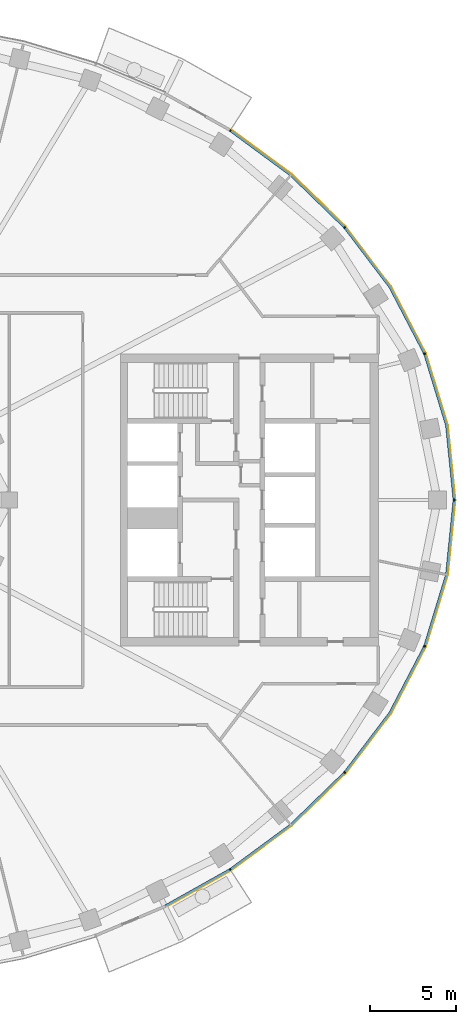
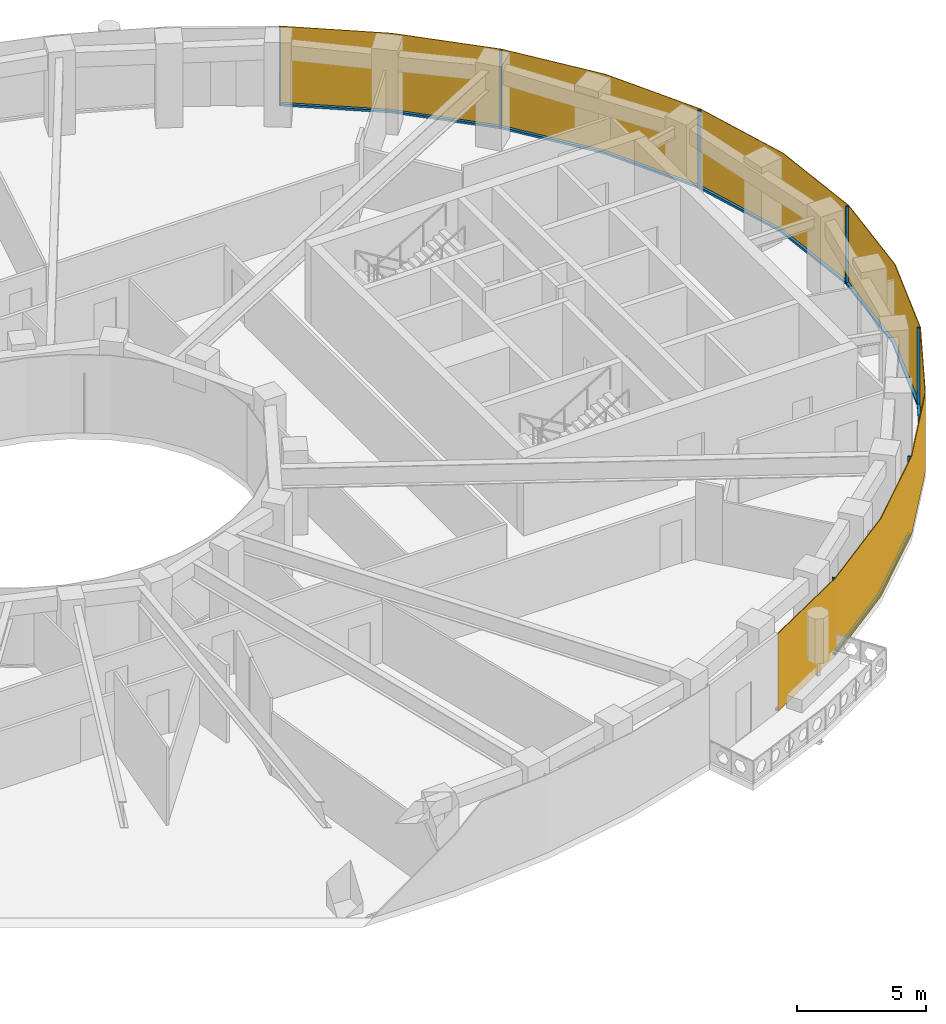
# One storey, part 11 of 15: 14 members, 1 curtain wall.
"""IFC4 building model written with IfcOpenShell, lengths in metres."""

import ifcopenshell
import ifcopenshell.guid

model = None  # the IFC model being written
_history = None  # IfcOwnerHistory: only IFC2X3 demands one
_inside = {}  # id of a spatial element -> (the spatial element, [elements in it])
_under = {}  # id of a project, library or spatial element -> (it, [spatial elements below it])
_declared = {}  # id of a project -> (the project, [libraries it declares])
_typed = {}  # id of a type object -> (the type object, [elements of that type])
_made_of = {}  # id of a material, layer set ... -> (it, [elements and type objects made of it])


def new_model(schema):
    """Start an empty IFC model of exactly this schema.

    Asked for "IFC4X3", IfcOpenShell would pick the latest addendum, in which some entities
    have other attributes; the version numbers below select the first issue.
    IFC2X3 requires an IfcOwnerHistory on every rooted entity: one is made here for all.
    """
    global model, _history
    if schema == "IFC4X3":
        model = ifcopenshell.file(schema_version=(4, 3, 0, 0))
    else:
        model = ifcopenshell.file(schema=schema)
    _inside.clear()
    _under.clear()
    _declared.clear()
    _typed.clear()
    _made_of.clear()
    _history = None
    if model.schema == "IFC2X3":
        org = make("IfcOrganization", Name="unknown")
        user = make(
            "IfcPersonAndOrganization",
            ThePerson=make("IfcPerson", FamilyName="unknown"),
            TheOrganization=org,
        )
        app = make(
            "IfcApplication",
            ApplicationDeveloper=org,
            Version="unknown",
            ApplicationFullName="unknown",
            ApplicationIdentifier="unknown",
        )
        _history = make(
            "IfcOwnerHistory",
            OwningUser=user,
            OwningApplication=app,
            ChangeAction="ADDED",
            CreationDate=0,
        )
    return model


def make(cls, **values):
    """One entity of the class cls with the attributes given. An attribute that is None is left unset."""
    return model.create_entity(
        cls, **{name: value for name, value in values.items() if value is not None}
    )


def rooted(cls, **values):
    """An entity with a GlobalId (a new one), such as an element, a storey or a relation."""
    return make(cls, GlobalId=ifcopenshell.guid.new(), OwnerHistory=_history, **values)


def si_unit(unit_type, name, prefix=None):
    """IfcSIUnit, for example si_unit("LENGTHUNIT", "METRE", prefix="MILLI")."""
    return make("IfcSIUnit", UnitType=unit_type, Prefix=prefix, Name=name)


def assignment(units):
    """IfcUnitAssignment: the units of a project."""
    return None if units is None else make("IfcUnitAssignment", Units=units)


def point(xyz):
    """IfcCartesianPoint."""
    return None if xyz is None else make("IfcCartesianPoint", Coordinates=xyz)


def direction(xyz):
    """IfcDirection."""
    return None if xyz is None else make("IfcDirection", DirectionRatios=xyz)


def frame(location, z_axis=None, x_axis=None):
    """IfcAxis2Placement3D, a coordinate frame: its origin and axes. An axis left out is left unset."""
    return make(
        "IfcAxis2Placement3D",
        Location=point(location),
        Axis=direction(z_axis),
        RefDirection=direction(x_axis),
    )


def frame_2d(location, x_axis=None):
    """IfcAxis2Placement2D, a coordinate frame in the plane: its origin and x axis."""
    return make(
        "IfcAxis2Placement2D", Location=point(location), RefDirection=direction(x_axis)
    )


def origin():
    """The frame at (0, 0, 0) with its axes left unset."""
    return frame((0.0, 0.0, 0.0))


def origin_2d():
    """The frame at (0, 0) in the plane with its x axis left unset."""
    return frame_2d((0.0, 0.0))


def place(relative_to, where):
    """IfcLocalPlacement: puts the frame where relative to a parent placement (None: the world)."""
    return make(
        "IfcLocalPlacement", PlacementRelTo=relative_to, RelativePlacement=where
    )


def context(
    kind, dimensions, precision=None, world=None, true_north=None, identifier=None
):
    """IfcGeometricRepresentationContext, for example the 3D "Model" context."""
    return make(
        "IfcGeometricRepresentationContext",
        ContextIdentifier=identifier,
        ContextType=kind,
        CoordinateSpaceDimension=dimensions,
        Precision=precision,
        WorldCoordinateSystem=world,
        TrueNorth=true_north,
    )


def subcontext(parent, identifier, kind, view, scale=None):
    """IfcGeometricRepresentationSubContext, for example "Body" below "Model"."""
    return make(
        "IfcGeometricRepresentationSubContext",
        ContextIdentifier=identifier,
        ContextType=kind,
        ParentContext=parent,
        TargetScale=scale,
        TargetView=view,
    )


def project(units=None, contexts=None):
    """IfcProject with its units and contexts."""
    return rooted(
        "IfcProject",
        Name="project",
        RepresentationContexts=contexts,
        UnitsInContext=assignment(units),
    )


def spatial(cls, under=None, at=None, **own):
    """A site, building, storey or space (cls), placed at a placement, below another one or the project."""
    s = rooted(cls, ObjectPlacement=at, **own)
    if under is not None:
        _under.setdefault(under.id(), (under, []))[1].append(s)
    return s


def polyline(points):
    """IfcPolyline through the points."""
    return make("IfcPolyline", Points=[point(p) for p in points])


def profile(cls, at=None, kind="AREA", **sizes):
    """A parametric profile (cls). Its sizes go by their IFC names, for example OverallWidth=200.0."""
    return make(cls, ProfileType=kind, Position=at, **sizes)


def rectangle(**sizes):
    """IfcRectangleProfileDef."""
    return profile("IfcRectangleProfileDef", **sizes)


def outline(outer, holes=None, kind="AREA"):
    """IfcArbitraryClosedProfileDef: a profile drawn as a closed curve; with holes, ...WithVoids."""
    if holes is None:
        return make("IfcArbitraryClosedProfileDef", ProfileType=kind, OuterCurve=outer)
    return make(
        "IfcArbitraryProfileDefWithVoids",
        ProfileType=kind,
        OuterCurve=outer,
        InnerCurves=holes,
    )


def extrude(swept, where, along, depth):
    """IfcExtrudedAreaSolid: the profile swept, set in the frame where, extruded along a direction by depth."""
    return make(
        "IfcExtrudedAreaSolid",
        SweptArea=swept,
        Position=where,
        ExtrudedDirection=direction(along),
        Depth=depth,
    )


def shape(context_of_items, identifier, shape_type, items):
    """IfcShapeRepresentation: the items that make up one representation, for example the "Body"."""
    return make(
        "IfcShapeRepresentation",
        ContextOfItems=context_of_items,
        RepresentationIdentifier=identifier,
        RepresentationType=shape_type,
        Items=items,
    )


def material(Name=None, Category=None):
    """IfcMaterial."""
    return make("IfcMaterial", Name=Name, Category=Category)


def layer(
    of_material, thickness, ventilated=None, Name=None, Category=None, Priority=None
):
    """IfcMaterialLayer: one layer of a wall or slab, of a material (None: an air gap)."""
    return make(
        "IfcMaterialLayer",
        Material=of_material,
        LayerThickness=thickness,
        IsVentilated=ventilated,
        Name=Name,
        Category=Category,
        Priority=Priority,
    )


def layer_set(layers, Name=None):
    """IfcMaterialLayerSet."""
    return make("IfcMaterialLayerSet", MaterialLayers=layers, LayerSetName=Name)


def material_profile(
    of_material, cross_section, Name=None, Category=None, Priority=None
):
    """IfcMaterialProfile: a cross section and its material."""
    return make(
        "IfcMaterialProfile",
        Name=Name,
        Material=of_material,
        Profile=cross_section,
        Priority=Priority,
        Category=Category,
    )


def profile_set(profiles, Name=None, composite=None):
    """IfcMaterialProfileSet."""
    return make(
        "IfcMaterialProfileSet",
        Name=Name,
        MaterialProfiles=profiles,
        CompositeProfile=composite,
    )


def made_of(thing, what):
    """Note that an element or type object is made of a material, layer set ...; save() writes the relation."""
    if what is not None:
        _made_of.setdefault(what.id(), (what, []))[1].append(thing)
    return thing


def type_object(cls, material=None, **own):
    """A type object (cls), such as IfcWallType, which elements share."""
    return made_of(rooted(cls, **own), material)


def element(
    cls,
    number,
    at=None,
    inside=None,
    cuts=None,
    type_object=None,
    material=None,
    context=None,
    identifier="Body",
    shape_type=None,
    held_by="IfcProductDefinitionShape",
    body=None,
    shapes=None,
    **own,
):
    """One element of the class cls, such as IfcWall. Its Tag is "e" and its number.

    at: its placement. inside: the storey or other place that contains it. cuts: it is an
    opening in that element (IfcRelVoidsElement). A single representation is given by context,
    identifier, shape_type and body (its items); several are given by shapes. held_by: the class
    of the entity that holds the representations. save() writes the other relations.
    """
    e = rooted(cls, Tag="e%d" % number, ObjectPlacement=at, **own)
    if body is not None:
        shapes = [shape(context, identifier, shape_type, body)]
    if shapes is not None:
        e.Representation = make(held_by, Representations=shapes)
    if inside is not None:
        _inside.setdefault(inside.id(), (inside, []))[1].append(e)
    if cuts is not None:
        rooted(
            "IfcRelVoidsElement", RelatingBuildingElement=cuts, RelatedOpeningElement=e
        )
    if type_object is not None:
        _typed.setdefault(type_object.id(), (type_object, []))[1].append(e)
    return made_of(e, material)


def aggregate(whole, parts):
    """IfcRelAggregates: a whole, such as a stair, and the parts it consists of."""
    return rooted("IfcRelAggregates", RelatingObject=whole, RelatedObjects=parts)


def save(model, path):
    """Write the relations noted so far, then the file.

    IfcRelAggregates (storeys below a building ...), IfcRelContainedInSpatialStructure (elements
    in a storey), IfcRelDefinesByType, IfcRelAssociatesMaterial and IfcRelDeclares: one each for
    every whole, place, type object, material and project.
    """
    for whole, parts in _under.values():
        aggregate(whole, parts)
    for where, things in _inside.values():
        rooted(
            "IfcRelContainedInSpatialStructure",
            RelatedElements=things,
            RelatingStructure=where,
        )
    for kind, things in _typed.values():
        rooted("IfcRelDefinesByType", RelatedObjects=things, RelatingType=kind)
    for what, things in _made_of.values():
        rooted("IfcRelAssociatesMaterial", RelatedObjects=things, RelatingMaterial=what)
    for by, libraries in _declared.values():
        rooted("IfcRelDeclares", RelatingContext=by, RelatedDefinitions=libraries)
    model.write(path)


model = new_model("IFC4")

# Units and contexts
model_context = context("Model", 3, precision=1e-05, world=origin(), true_north=direction((0.0, 1.0)))
body_context = subcontext(model_context, "Body", "Model", "MODEL_VIEW")
ifc_project = project(units=[si_unit("LENGTHUNIT", "METRE"), si_unit("AREAUNIT", "SQUARE_METRE"), si_unit("VOLUMEUNIT", "CUBIC_METRE"), si_unit("PLANEANGLEUNIT", "RADIAN"), si_unit("MASSUNIT", "GRAM", prefix="KILO")], contexts=[model_context])

# Member
ifc_material_1 = material(Name="Aluminium 6063-T6 black anodised", Category="aluminium")
ifc_material_profile = material_profile(ifc_material_1, rectangle(XDim=0.1201171875, YDim=0.06005859375, at=origin_2d()), Name="120x60")
ifc_profile_set = profile_set([ifc_material_profile], Name="Aluminium 6063-T6 black anodised")
member_type_1 = type_object("IfcMemberType", Name="ENV-MULLION-A-120", PredefinedType="MULLION", material=ifc_profile_set)
site_placement = place(None, origin())
building_placement = place(site_placement, origin())
storey_placement = place(building_placement, frame((0.0, 0.0, 265.5)))
member_1_placement = place(storey_placement, frame((22.882568359375, -21.506591796875, 0.0), z_axis=(0.0, 0.0, 1.0), x_axis=(-0.542279153225, 0.840198381323, 0.0)))
member_1 = element("IfcMember", 1, at=member_1_placement, type_object=member_type_1, Name="Mullion A radial 41", PredefinedType="MULLION", context=body_context, shape_type="SweptSolid", body=[
    extrude(rectangle(XDim=0.1201171875, YDim=0.06005859375, at=origin_2d()), origin(), (0.0, 0.0, 1.0), 3.699951171875),
])

member_2_placement = place(storey_placement, frame((29.53857421875, -15.8671875, 0.0), z_axis=(0.0, 0.0, 1.0), x_axis=(-0.749047221705, 0.662516610853, 0.0)))
member_2 = element("IfcMember", 2, at=member_2_placement, type_object=member_type_1, Name="Mullion A radial 43", PredefinedType="MULLION", context=body_context, shape_type="SweptSolid", body=[
    extrude(rectangle(XDim=0.1201171875, YDim=0.06005859375, at=origin_2d()), origin(), (0.0, 0.0, 1.0), 3.699951171875),
])

member_3_placement = place(storey_placement, frame((34.19580078125, -8.513916015625, 0.0), z_axis=(0.0, 0.0, 1.0), x_axis=(-0.92546738067, 0.378827305398, 0.0)))
member_3 = element("IfcMember", 3, at=member_3_placement, type_object=member_type_1, Name="Mullion A radial 45", PredefinedType="MULLION", context=body_context, shape_type="SweptSolid", body=[
    extrude(rectangle(XDim=0.1201171875, YDim=0.06005859375, at=origin_2d()), origin(), (0.0, 0.0, 1.0), 3.699951171875),
])

member_4_placement = place(storey_placement, frame((35.907958984375, 0.0, 0.0), z_axis=(0.0, 0.0, 1.0), x_axis=(-1.0, 0.0, 0.0)))
member_4 = element("IfcMember", 4, at=member_4_placement, type_object=member_type_1, Name="Mullion A radial 01", PredefinedType="MULLION", context=body_context, shape_type="SweptSolid", body=[
    extrude(rectangle(XDim=0.1201171875, YDim=0.06005859375, at=origin_2d()), origin(), (0.0, 0.0, 1.0), 3.699951171875),
])

member_5_placement = place(storey_placement, frame((34.19580078125, 8.513916015625, 0.0), z_axis=(0.0, 0.0, 1.0), x_axis=(-0.92546738067, -0.378827305398, 0.0)))
member_5 = element("IfcMember", 5, at=member_5_placement, type_object=member_type_1, Name="Mullion A radial 03", PredefinedType="MULLION", context=body_context, shape_type="SweptSolid", body=[
    extrude(rectangle(XDim=0.1201171875, YDim=0.06005859375, at=origin_2d()), origin(), (0.0, 0.0, 1.0), 3.699951171875),
])

member_6_placement = place(storey_placement, frame((29.53857421875, 15.8671875, 0.0), z_axis=(0.0, 0.0, 1.0), x_axis=(-0.749047221705, -0.662516610853, 0.0)))
member_6 = element("IfcMember", 6, at=member_6_placement, type_object=member_type_1, Name="Mullion A radial 05", PredefinedType="MULLION", context=body_context, shape_type="SweptSolid", body=[
    extrude(rectangle(XDim=0.1201171875, YDim=0.06005859375, at=origin_2d()), origin(), (0.0, 0.0, 1.0), 3.699951171875),
])

member_7_placement = place(storey_placement, frame((22.882568359375, 21.506591796875, 0.0), z_axis=(0.0, 0.0, 1.0), x_axis=(-0.542279153225, -0.840198381323, 0.0)))
member_7 = element("IfcMember", 7, at=member_7_placement, type_object=member_type_1, Name="Mullion A radial 07", PredefinedType="MULLION", context=body_context, shape_type="SweptSolid", body=[
    extrude(rectangle(XDim=0.1201171875, YDim=0.06005859375, at=origin_2d()), origin(), (0.0, 0.0, 1.0), 3.699951171875),
])

ifc_material_2 = material(Name="Aluminium 6063-T6 black anodised", Category="aluminium")
member_type_2 = type_object("IfcMemberType", Name="ENV-TRANSOM-A", PredefinedType="USERDEFINED", material=ifc_material_2)
member_8_placement = place(storey_placement, origin())
member_8 = element("IfcMember", 8, at=member_8_placement, type_object=member_type_2, Name="Transom A radial 40-41", ObjectType="TRANSOM", PredefinedType="USERDEFINED", context=body_context, shape_type="SweptSolid", body=[
    extrude(outline(polyline([(19.111572265625, -23.691650390625), (22.890625, -21.570556640625), (22.825439453125, -21.469482421875), (19.058837890625, -23.58349609375), (19.111572265625, -23.691650390625)])), origin(), (0.0, 0.0, 1.0), 0.10009765625),
])

member_9_placement = place(storey_placement, origin())
member_9 = element("IfcMember", 9, at=member_9_placement, type_object=member_type_2, Name="Transom A radial 41-43", ObjectType="TRANSOM", PredefinedType="USERDEFINED", context=body_context, shape_type="SweptSolid", body=[
    extrude(outline(polyline([(22.937744140625, -21.540283203125), (26.4423828125, -18.958740234375), (29.5634765625, -15.926513671875), (29.473388671875, -15.8466796875), (26.364501953125, -18.866943359375), (22.87255859375, -21.439208984375), (22.937744140625, -21.540283203125)])), origin(), (0.0, 0.0, 1.0), 0.10009765625),
])

member_10_placement = place(storey_placement, origin())
member_10 = element("IfcMember", 10, at=member_10_placement, type_object=member_type_2, Name="Transom A radial 43-45", ObjectType="TRANSOM", PredefinedType="USERDEFINED", context=body_context, shape_type="SweptSolid", body=[
    extrude(outline(polyline([(29.6005859375, -15.884521484375), (32.22802734375, -12.41748046875), (34.23828125, -8.5615234375), (34.126708984375, -8.515869140625), (32.126220703125, -12.35302734375), (29.51025390625, -15.8046875), (29.6005859375, -15.884521484375)])), origin(), (0.0, 0.0, 1.0), 0.10009765625),
])

member_11_placement = place(storey_placement, origin())
member_11 = element("IfcMember", 11, at=member_11_placement, type_object=member_type_2, Name="Transom A radial 45-01", ObjectType="TRANSOM", PredefinedType="USERDEFINED", context=body_context, shape_type="SweptSolid", body=[
    extrude(outline(polyline([(34.259521484375, -8.509765625), (35.529541015625, -4.352294921875), (35.965087890625, -0.02783203125), (35.844482421875, -0.02783203125), (35.411376953125, -4.32861328125), (34.14794921875, -8.464111328125), (34.259521484375, -8.509765625)])), origin(), (0.0, 0.0, 1.0), 0.10009765625),
])

member_12_placement = place(storey_placement, origin())
member_12 = element("IfcMember", 12, at=member_12_placement, type_object=member_type_2, Name="Transom A radial 01-03", ObjectType="TRANSOM", PredefinedType="USERDEFINED", context=body_context, shape_type="SweptSolid", body=[
    extrude(outline(polyline([(35.965087890625, 0.02783203125), (35.529541015625, 4.352294921875), (34.259521484375, 8.509765625), (34.14794921875, 8.464111328125), (35.411376953125, 4.32861328125), (35.844482421875, 0.02783203125), (35.965087890625, 0.02783203125)])), origin(), (0.0, 0.0, 1.0), 0.10009765625),
])

member_13_placement = place(storey_placement, origin())
member_13 = element("IfcMember", 13, at=member_13_placement, type_object=member_type_2, Name="Transom A radial 03-05", ObjectType="TRANSOM", PredefinedType="USERDEFINED", context=body_context, shape_type="SweptSolid", body=[
    extrude(outline(polyline([(34.23828125, 8.5615234375), (32.22802734375, 12.41748046875), (29.6005859375, 15.884521484375), (29.51025390625, 15.8046875), (32.126220703125, 12.35302734375), (34.126708984375, 8.515869140625), (34.23828125, 8.5615234375)])), origin(), (0.0, 0.0, 1.0), 0.10009765625),
])

member_14_placement = place(storey_placement, origin())
member_14 = element("IfcMember", 14, at=member_14_placement, type_object=member_type_2, Name="Transom A radial 05-07", ObjectType="TRANSOM", PredefinedType="USERDEFINED", context=body_context, shape_type="SweptSolid", body=[
    extrude(outline(polyline([(29.5634765625, 15.926513671875), (26.4423828125, 18.958740234375), (22.937744140625, 21.540283203125), (22.87255859375, 21.439208984375), (26.364501953125, 18.866943359375), (29.473388671875, 15.8466796875), (29.5634765625, 15.926513671875)])), origin(), (0.0, 0.0, 1.0), 0.10009765625),
])

# Site, building, storey
site = spatial("IfcSite", under=ifc_project, at=site_placement, CompositionType="ELEMENT")
building = spatial("IfcBuilding", under=site, at=building_placement, Name="Noorbagh Ring Tower", CompositionType="ELEMENT")
storey = spatial("IfcBuildingStorey", under=building, at=storey_placement, Name="L56", CompositionType="ELEMENT", Elevation=265.5)

# Curtain wall
ifc_material_3 = material(Name="Glass dark tinted laminated", Category="glass")
ifc_layer = layer(ifc_material_3, 0.031982421875)
ifc_layer_set = layer_set([ifc_layer], Name="Glass dark tinted laminated")
curtain_wall_type = type_object("IfcCurtainWallType", Name="ENV-CW-A", PredefinedType="NOTDEFINED", material=ifc_layer_set)
curtain_wall_placement = place(storey_placement, origin())
curtain_wall = element("IfcCurtainWall", 15, at=curtain_wall_placement, inside=storey, type_object=curtain_wall_type, Name="Curtain wall A R40", PredefinedType="NOTDEFINED", context=body_context, shape_type="SweptSolid", body=[
    extrude(outline(polyline([(19.125732421875, -23.720458984375), (22.9326171875, -21.583740234375), (26.463134765625, -18.9833984375), (29.607666015625, -15.927978515625), (32.255126953125, -12.434814453125), (34.281005859375, -8.548828125), (35.561279296875, -4.358642578125), (36.0, 0.0), (35.561279296875, 4.358642578125), (34.281005859375, 8.548828125), (32.255126953125, 12.434814453125), (29.607666015625, 15.927978515625), (26.463134765625, 18.9833984375), (22.948486328125, 21.572021484375), (22.931396484375, 21.544921875), (26.4423828125, 18.958740234375), (29.58349609375, 15.906982421875), (32.22802734375, 12.41748046875), (34.251220703125, 8.53662109375), (35.529541015625, 4.352294921875), (35.9677734375, 0.0), (35.529541015625, -4.352294921875), (34.251220703125, -8.53662109375), (32.22802734375, -12.41748046875), (29.58349609375, -15.906982421875), (26.4423828125, -18.958740234375), (22.9150390625, -21.556884765625), (19.111572265625, -23.691650390625), (19.125732421875, -23.720458984375)])), origin(), (0.0, 0.0, 1.0), 3.699951171875),
])

aggregate(curtain_wall, [member_1, member_2, member_3, member_4, member_5, member_6, member_7, member_8, member_9, member_10, member_11, member_12, member_13, member_14])

save(model, "model.ifc")
